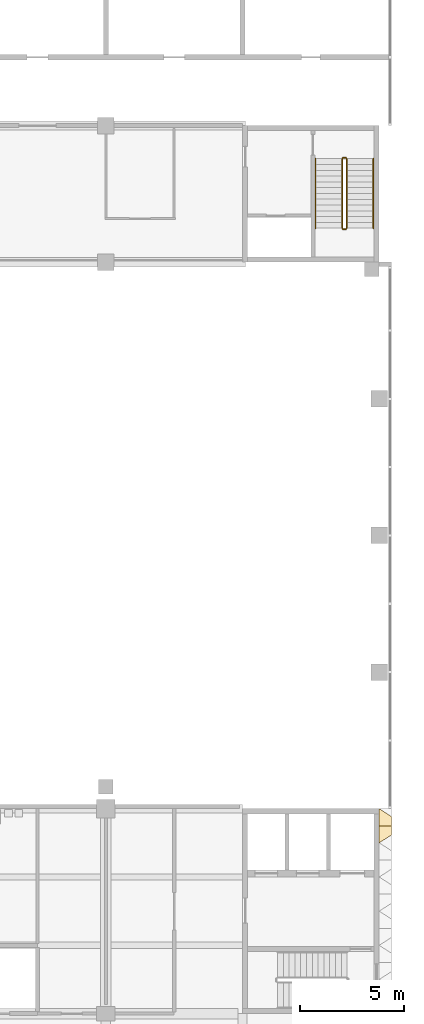
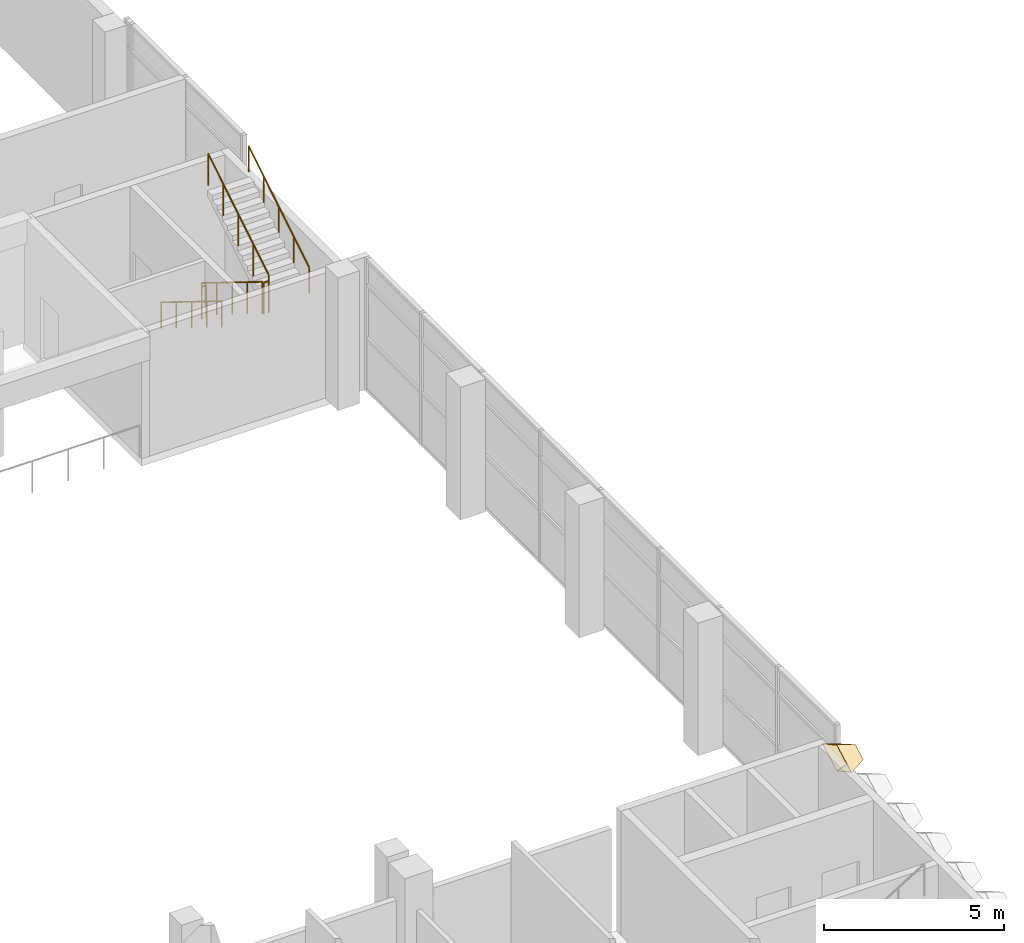
# One storey, part 65 of 87: 6 railings, 1 covering.
"""IFC4 building model written with IfcOpenShell, lengths in metres."""

import ifcopenshell
import ifcopenshell.guid

model = None  # the IFC model being written
_history = None  # IfcOwnerHistory: only IFC2X3 demands one
_inside = {}  # id of a spatial element -> (the spatial element, [elements in it])
_under = {}  # id of a project, library or spatial element -> (it, [spatial elements below it])
_declared = {}  # id of a project -> (the project, [libraries it declares])
_typed = {}  # id of a type object -> (the type object, [elements of that type])
_made_of = {}  # id of a material, layer set ... -> (it, [elements and type objects made of it])


def new_model(schema):
    """Start an empty IFC model of exactly this schema.

    Asked for "IFC4X3", IfcOpenShell would pick the latest addendum, in which some entities
    have other attributes; the version numbers below select the first issue.
    IFC2X3 requires an IfcOwnerHistory on every rooted entity: one is made here for all.
    """
    global model, _history
    if schema == "IFC4X3":
        model = ifcopenshell.file(schema_version=(4, 3, 0, 0))
    else:
        model = ifcopenshell.file(schema=schema)
    _inside.clear()
    _under.clear()
    _declared.clear()
    _typed.clear()
    _made_of.clear()
    _history = None
    if model.schema == "IFC2X3":
        org = make("IfcOrganization", Name="unknown")
        user = make(
            "IfcPersonAndOrganization",
            ThePerson=make("IfcPerson", FamilyName="unknown"),
            TheOrganization=org,
        )
        app = make(
            "IfcApplication",
            ApplicationDeveloper=org,
            Version="unknown",
            ApplicationFullName="unknown",
            ApplicationIdentifier="unknown",
        )
        _history = make(
            "IfcOwnerHistory",
            OwningUser=user,
            OwningApplication=app,
            ChangeAction="ADDED",
            CreationDate=0,
        )
    return model


def make(cls, **values):
    """One entity of the class cls with the attributes given. An attribute that is None is left unset."""
    return model.create_entity(
        cls, **{name: value for name, value in values.items() if value is not None}
    )


def entity(cls, *values):
    """Any entity or typed value of the class cls, its attributes in the order of the schema. None: left unset."""
    e = model.create_entity(cls)
    for i, value in enumerate(values):
        if value is not None:
            e[i] = value
    return e


def rooted(cls, **values):
    """An entity with a GlobalId (a new one), such as an element, a storey or a relation."""
    return make(cls, GlobalId=ifcopenshell.guid.new(), OwnerHistory=_history, **values)


def si_unit(unit_type, name, prefix=None):
    """IfcSIUnit, for example si_unit("LENGTHUNIT", "METRE", prefix="MILLI")."""
    return make("IfcSIUnit", UnitType=unit_type, Prefix=prefix, Name=name)


def assignment(units):
    """IfcUnitAssignment: the units of a project."""
    return None if units is None else make("IfcUnitAssignment", Units=units)


def point(xyz):
    """IfcCartesianPoint."""
    return None if xyz is None else make("IfcCartesianPoint", Coordinates=xyz)


def direction(xyz):
    """IfcDirection."""
    return None if xyz is None else make("IfcDirection", DirectionRatios=xyz)


def frame(location, z_axis=None, x_axis=None):
    """IfcAxis2Placement3D, a coordinate frame: its origin and axes. An axis left out is left unset."""
    return make(
        "IfcAxis2Placement3D",
        Location=point(location),
        Axis=direction(z_axis),
        RefDirection=direction(x_axis),
    )


def frame_2d(location, x_axis=None):
    """IfcAxis2Placement2D, a coordinate frame in the plane: its origin and x axis."""
    return make(
        "IfcAxis2Placement2D", Location=point(location), RefDirection=direction(x_axis)
    )


def origin():
    """The frame at (0, 0, 0) with its axes left unset."""
    return frame((0.0, 0.0, 0.0))


def origin_2d():
    """The frame at (0, 0) in the plane with its x axis left unset."""
    return frame_2d((0.0, 0.0))


def place(relative_to, where):
    """IfcLocalPlacement: puts the frame where relative to a parent placement (None: the world)."""
    return make(
        "IfcLocalPlacement", PlacementRelTo=relative_to, RelativePlacement=where
    )


def context(
    kind, dimensions, precision=None, world=None, true_north=None, identifier=None
):
    """IfcGeometricRepresentationContext, for example the 3D "Model" context."""
    return make(
        "IfcGeometricRepresentationContext",
        ContextIdentifier=identifier,
        ContextType=kind,
        CoordinateSpaceDimension=dimensions,
        Precision=precision,
        WorldCoordinateSystem=world,
        TrueNorth=true_north,
    )


def subcontext(parent, identifier, kind, view, scale=None):
    """IfcGeometricRepresentationSubContext, for example "Body" below "Model"."""
    return make(
        "IfcGeometricRepresentationSubContext",
        ContextIdentifier=identifier,
        ContextType=kind,
        ParentContext=parent,
        TargetScale=scale,
        TargetView=view,
    )


def project(units=None, contexts=None):
    """IfcProject with its units and contexts."""
    return rooted(
        "IfcProject",
        Name="project",
        RepresentationContexts=contexts,
        UnitsInContext=assignment(units),
    )


def spatial(cls, under=None, at=None, **own):
    """A site, building, storey or space (cls), placed at a placement, below another one or the project."""
    s = rooted(cls, ObjectPlacement=at, **own)
    if under is not None:
        _under.setdefault(under.id(), (under, []))[1].append(s)
    return s


def profile(cls, at=None, kind="AREA", **sizes):
    """A parametric profile (cls). Its sizes go by their IFC names, for example OverallWidth=200.0."""
    return make(cls, ProfileType=kind, Position=at, **sizes)


def circle(**sizes):
    """IfcCircleProfileDef."""
    return profile("IfcCircleProfileDef", **sizes)


def extrude(swept, where, along, depth):
    """IfcExtrudedAreaSolid: the profile swept, set in the frame where, extruded along a direction by depth."""
    return make(
        "IfcExtrudedAreaSolid",
        SweptArea=swept,
        Position=where,
        ExtrudedDirection=direction(along),
        Depth=depth,
    )


def shape(context_of_items, identifier, shape_type, items):
    """IfcShapeRepresentation: the items that make up one representation, for example the "Body"."""
    return make(
        "IfcShapeRepresentation",
        ContextOfItems=context_of_items,
        RepresentationIdentifier=identifier,
        RepresentationType=shape_type,
        Items=items,
    )


def material(Name=None, Category=None):
    """IfcMaterial."""
    return make("IfcMaterial", Name=Name, Category=Category)


def layer(
    of_material, thickness, ventilated=None, Name=None, Category=None, Priority=None
):
    """IfcMaterialLayer: one layer of a wall or slab, of a material (None: an air gap)."""
    return make(
        "IfcMaterialLayer",
        Material=of_material,
        LayerThickness=thickness,
        IsVentilated=ventilated,
        Name=Name,
        Category=Category,
        Priority=Priority,
    )


def layer_set(layers, Name=None):
    """IfcMaterialLayerSet."""
    return make("IfcMaterialLayerSet", MaterialLayers=layers, LayerSetName=Name)


def made_of(thing, what):
    """Note that an element or type object is made of a material, layer set ...; save() writes the relation."""
    if what is not None:
        _made_of.setdefault(what.id(), (what, []))[1].append(thing)
    return thing


def type_object(cls, material=None, **own):
    """A type object (cls), such as IfcWallType, which elements share."""
    return made_of(rooted(cls, **own), material)


def element(
    cls,
    number,
    at=None,
    inside=None,
    cuts=None,
    type_object=None,
    material=None,
    context=None,
    identifier="Body",
    shape_type=None,
    held_by="IfcProductDefinitionShape",
    body=None,
    shapes=None,
    **own,
):
    """One element of the class cls, such as IfcWall. Its Tag is "e" and its number.

    at: its placement. inside: the storey or other place that contains it. cuts: it is an
    opening in that element (IfcRelVoidsElement). A single representation is given by context,
    identifier, shape_type and body (its items); several are given by shapes. held_by: the class
    of the entity that holds the representations. save() writes the other relations.
    """
    e = rooted(cls, Tag="e%d" % number, ObjectPlacement=at, **own)
    if body is not None:
        shapes = [shape(context, identifier, shape_type, body)]
    if shapes is not None:
        e.Representation = make(held_by, Representations=shapes)
    if inside is not None:
        _inside.setdefault(inside.id(), (inside, []))[1].append(e)
    if cuts is not None:
        rooted(
            "IfcRelVoidsElement", RelatingBuildingElement=cuts, RelatedOpeningElement=e
        )
    if type_object is not None:
        _typed.setdefault(type_object.id(), (type_object, []))[1].append(e)
    return made_of(e, material)


def aggregate(whole, parts):
    """IfcRelAggregates: a whole, such as a stair, and the parts it consists of."""
    return rooted("IfcRelAggregates", RelatingObject=whole, RelatedObjects=parts)


def save(model, path):
    """Write the relations noted so far, then the file.

    IfcRelAggregates (storeys below a building ...), IfcRelContainedInSpatialStructure (elements
    in a storey), IfcRelDefinesByType, IfcRelAssociatesMaterial and IfcRelDeclares: one each for
    every whole, place, type object, material and project.
    """
    for whole, parts in _under.values():
        aggregate(whole, parts)
    for where, things in _inside.values():
        rooted(
            "IfcRelContainedInSpatialStructure",
            RelatedElements=things,
            RelatingStructure=where,
        )
    for kind, things in _typed.values():
        rooted("IfcRelDefinesByType", RelatedObjects=things, RelatingType=kind)
    for what, things in _made_of.values():
        rooted("IfcRelAssociatesMaterial", RelatedObjects=things, RelatingMaterial=what)
    for by, libraries in _declared.values():
        rooted("IfcRelDeclares", RelatingContext=by, RelatedDefinitions=libraries)
    model.write(path)


model = new_model("IFC4")

# Units and contexts
model_context = context("Model", 3, precision=1e-05, world=origin(), true_north=direction((0.0, 1.0)))
body_context = subcontext(model_context, "Body", "Model", "MODEL_VIEW")
ifc_project = project(units=[si_unit("LENGTHUNIT", "METRE"), si_unit("AREAUNIT", "SQUARE_METRE"), si_unit("VOLUMEUNIT", "CUBIC_METRE"), si_unit("PLANEANGLEUNIT", "RADIAN"), si_unit("MASSUNIT", "GRAM", prefix="KILO")], contexts=[model_context])

# Site, building, storey
site_placement = place(None, origin())
site = spatial("IfcSite", under=ifc_project, at=site_placement, CompositionType="ELEMENT")
building_placement = place(site_placement, origin())
building = spatial("IfcBuilding", under=site, at=building_placement, Name="Lantern Court Research Institute", CompositionType="ELEMENT")
storey_placement = place(building_placement, frame((0.0, 0.0, 5.39990234375)))
storey = spatial("IfcBuildingStorey", under=building, at=storey_placement, Name="L01", CompositionType="ELEMENT", Elevation=5.39990234375)

# Covering
ifc_material_1 = material(Name="Anodised aluminium", Category="aluminium")
ifc_layer = layer(ifc_material_1, 0.01611328125)
ifc_layer_set = layer_set([ifc_layer], Name="Anodised aluminium")
covering_type = type_object("IfcCoveringType", Name="Fin cassette 1650 x 900 x 600 aluminium", PredefinedType="CLADDING", material=ifc_layer_set)
covering_placement = place(storey_placement, frame((79.199951171875, 22.27490234375, 4.050048828125), z_axis=(1.0, 0.0, 0.0), x_axis=(0.0, 1.0, 0.0)))
cartesian_point_1 = entity("IfcCartesianPoint", [0.824951171875, 0.0])
cartesian_point_2 = entity("IfcCartesianPoint", [0.79150390625, 0.0])
cartesian_point_3 = entity("IfcCartesianPoint", [0.44189453125, 0.0])
cartesian_point_4 = entity("IfcCartesianPoint", [0.43359375, 0.0])
element("IfcCovering", 1, at=covering_placement, inside=storey, type_object=covering_type, Name="Fin cassette V5E-L01 5.14", PredefinedType="CLADDING", context=body_context, shape_type="SweptSolid", body=[
    entity("IfcExtrudedAreaSolidTapered", entity("IfcArbitraryProfileDefWithVoids", "AREA", None, entity("IfcPolyline", [cartesian_point_1, entity("IfcCartesianPoint", [0.0, 0.449951171875]), entity("IfcCartesianPoint", [-0.824951171875, 0.0]), entity("IfcCartesianPoint", [0.0, -0.449951171875]), cartesian_point_1]), [entity("IfcPolyline", [cartesian_point_2, entity("IfcCartesianPoint", [0.0, 0.431884765625]), entity("IfcCartesianPoint", [-0.79150390625, 0.0]), entity("IfcCartesianPoint", [0.0, -0.431884765625]), cartesian_point_2])]), entity("IfcAxis2Placement3D", entity("IfcCartesianPoint", [0.0, 0.0, 0.0])), entity("IfcDirection", [0.0, 0.0, 1.0]), 0.60009765625, entity("IfcArbitraryProfileDefWithVoids", "AREA", None, entity("IfcPolyline", [cartesian_point_3, entity("IfcCartesianPoint", [0.0, 0.240966796875]), entity("IfcCartesianPoint", [-0.44189453125, 0.0]), entity("IfcCartesianPoint", [0.0, -0.240966796875]), cartesian_point_3]), [entity("IfcPolyline", [cartesian_point_4, entity("IfcCartesianPoint", [0.0, 0.236572265625]), entity("IfcCartesianPoint", [-0.43359375, 0.0]), entity("IfcCartesianPoint", [0.0, -0.236572265625]), cartesian_point_4])])),
])

# Railings
ifc_material_2 = material(Name="Structural steel S355", Category="steel")
railing_type_1 = type_object("IfcRailingType", Name="Stair guard 1100 steel", PredefinedType="GUARDRAIL", material=ifc_material_2)
railing_1_placement = place(storey_placement, frame((77.425048828125, 54.5, 0.173095703125)))
element("IfcRailing", 2, at=railing_1_placement, inside=storey, type_object=railing_type_1, Name="L01 ST-H2 stair guard 1", PredefinedType="GUARDRAIL", context=body_context, shape_type="SweptSolid", body=[
    extrude(circle(Radius=0.02392578125, at=origin_2d()), frame((0.0, 0.0, 1.076171875), z_axis=(0.0, -0.850623216509, 0.525775754039), x_axis=(1.0, 0.0, 0.0)), (0.0, 0.0, 1.0), 3.9501953125),
    extrude(circle(Radius=0.02099609375, at=origin_2d()), origin(), (0.0, 0.0, 1.0), 1.052001953125),
    extrude(circle(Radius=0.02099609375, at=origin_2d()), frame((0.0, -0.840087890625, 0.519287109375)), (0.0, 0.0, 1.0), 1.052001953125),
    extrude(circle(Radius=0.02099609375, at=origin_2d()), frame((0.0, -1.68017578125, 1.03857421875)), (0.0, 0.0, 1.0), 1.052001953125),
    extrude(circle(Radius=0.02099609375, at=origin_2d()), frame((0.0, -2.52001953125, 1.5576171875)), (0.0, 0.0, 1.0), 1.052001953125),
    extrude(circle(Radius=0.02099609375, at=origin_2d()), frame((0.0, -3.360107421875, 2.076904296875)), (0.0, 0.0, 1.0), 1.052001953125),
])
railing_2_placement = place(storey_placement, frame((77.449951171875, 51.090087890625, 2.25)))
element("IfcRailing", 3, at=railing_2_placement, inside=storey, type_object=railing_type_1, Name="L01 ST-H2 stair guard 2", PredefinedType="GUARDRAIL", context=body_context, shape_type="SweptSolid", body=[
    extrude(circle(Radius=0.02392578125, at=origin_2d()), frame((0.0, 0.0, 1.076171875), z_axis=(1.0, 0.0, 0.0), x_axis=(0.0, 1.0, 0.0)), (0.0, 0.0, 1.0), 0.150146484375),
    extrude(circle(Radius=0.02099609375, at=origin_2d()), origin(), (0.0, 0.0, 1.0), 1.052001953125),
    extrude(circle(Radius=0.02099609375, at=origin_2d()), frame((0.150146484375, 0.0, 0.0)), (0.0, 0.0, 1.0), 1.052001953125),
])
railing_3_placement = place(storey_placement, frame((77.625, 51.139892578125, 2.423095703125)))
element("IfcRailing", 4, at=railing_3_placement, inside=storey, type_object=railing_type_1, Name="L01 ST-H2 stair guard 3", PredefinedType="GUARDRAIL", context=body_context, shape_type="SweptSolid", body=[
    extrude(circle(Radius=0.02392578125, at=origin_2d()), frame((0.0, 0.0, 1.076171875), z_axis=(0.0, 0.850623216509, 0.525775754039), x_axis=(-1.0, 0.0, 0.0)), (0.0, 0.0, 1.0), 3.9501953125),
    extrude(circle(Radius=0.02099609375, at=origin_2d()), origin(), (0.0, 0.0, 1.0), 1.052001953125),
    extrude(circle(Radius=0.02099609375, at=origin_2d()), frame((0.0, 0.840087890625, 0.519287109375)), (0.0, 0.0, 1.0), 1.052001953125),
    extrude(circle(Radius=0.02099609375, at=origin_2d()), frame((0.0, 1.68017578125, 1.03857421875)), (0.0, 0.0, 1.0), 1.052001953125),
    extrude(circle(Radius=0.02099609375, at=origin_2d()), frame((0.0, 2.52001953125, 1.5576171875)), (0.0, 0.0, 1.0), 1.052001953125),
    extrude(circle(Radius=0.02099609375, at=origin_2d()), frame((0.0, 3.360107421875, 2.076904296875)), (0.0, 0.0, 1.0), 1.052001953125),
])
railing_4_placement = place(storey_placement, frame((77.449951171875, 54.550048828125, 0.0)))
element("IfcRailing", 5, at=railing_4_placement, inside=storey, type_object=railing_type_1, Name="L01 ST-H2 stair guard 4", PredefinedType="GUARDRAIL", context=body_context, shape_type="SweptSolid", body=[
    extrude(circle(Radius=0.02392578125, at=origin_2d()), frame((0.0, 0.0, 1.076171875), z_axis=(1.0, 0.0, 0.0), x_axis=(0.0, 1.0, 0.0)), (0.0, 0.0, 1.0), 0.150146484375),
    extrude(circle(Radius=0.02099609375, at=origin_2d()), origin(), (0.0, 0.0, 1.0), 1.052001953125),
    extrude(circle(Radius=0.02099609375, at=origin_2d()), frame((0.150146484375, 0.0, 0.0)), (0.0, 0.0, 1.0), 1.052001953125),
])
ifc_material_3 = material(Name="Stainless steel 316", Category="steel")
railing_type_2 = type_object("IfcRailingType", Name="Stair handrail 900 steel", PredefinedType="HANDRAIL", material=ifc_material_3)
railing_5_placement = place(storey_placement, frame((76.125, 54.5, 0.173095703125)))
element("IfcRailing", 6, at=railing_5_placement, inside=storey, type_object=railing_type_2, Name="L01 ST-H2 stair handrail 1", PredefinedType="HANDRAIL", context=body_context, shape_type="SweptSolid", body=[
    extrude(circle(Radius=0.02392578125, at=origin_2d()), frame((0.0, 0.0, 0.8759765625), z_axis=(0.0, -0.850623216509, 0.525775754039), x_axis=(1.0, 0.0, 0.0)), (0.0, 0.0, 1.0), 3.9501953125),
    extrude(circle(Radius=0.02099609375, at=origin_2d()), origin(), (0.0, 0.0, 1.0), 0.851806640625),
    extrude(circle(Radius=0.02099609375, at=origin_2d()), frame((0.0, -0.840087890625, 0.519287109375)), (0.0, 0.0, 1.0), 0.851806640625),
    extrude(circle(Radius=0.02099609375, at=origin_2d()), frame((0.0, -1.68017578125, 1.03857421875)), (0.0, 0.0, 1.0), 0.851806640625),
    extrude(circle(Radius=0.02099609375, at=origin_2d()), frame((0.0, -2.52001953125, 1.5576171875)), (0.0, 0.0, 1.0), 0.851806640625),
    extrude(circle(Radius=0.02099609375, at=origin_2d()), frame((0.0, -3.360107421875, 2.076904296875)), (0.0, 0.0, 1.0), 0.851806640625),
])
railing_6_placement = place(storey_placement, frame((78.925048828125, 51.139892578125, 2.423095703125)))
element("IfcRailing", 7, at=railing_6_placement, inside=storey, type_object=railing_type_2, Name="L01 ST-H2 stair handrail 2", PredefinedType="HANDRAIL", context=body_context, shape_type="SweptSolid", body=[
    extrude(circle(Radius=0.02392578125, at=origin_2d()), frame((0.0, 0.0, 0.8759765625), z_axis=(0.0, 0.850623216509, 0.525775754039), x_axis=(-1.0, 0.0, 0.0)), (0.0, 0.0, 1.0), 3.9501953125),
    extrude(circle(Radius=0.02099609375, at=origin_2d()), origin(), (0.0, 0.0, 1.0), 0.851806640625),
    extrude(circle(Radius=0.02099609375, at=origin_2d()), frame((0.0, 0.840087890625, 0.519287109375)), (0.0, 0.0, 1.0), 0.851806640625),
    extrude(circle(Radius=0.02099609375, at=origin_2d()), frame((0.0, 1.68017578125, 1.03857421875)), (0.0, 0.0, 1.0), 0.851806640625),
    extrude(circle(Radius=0.02099609375, at=origin_2d()), frame((0.0, 2.52001953125, 1.5576171875)), (0.0, 0.0, 1.0), 0.851806640625),
    extrude(circle(Radius=0.02099609375, at=origin_2d()), frame((0.0, 3.360107421875, 2.076904296875)), (0.0, 0.0, 1.0), 0.851806640625),
])

save(model, "model.ifc")
